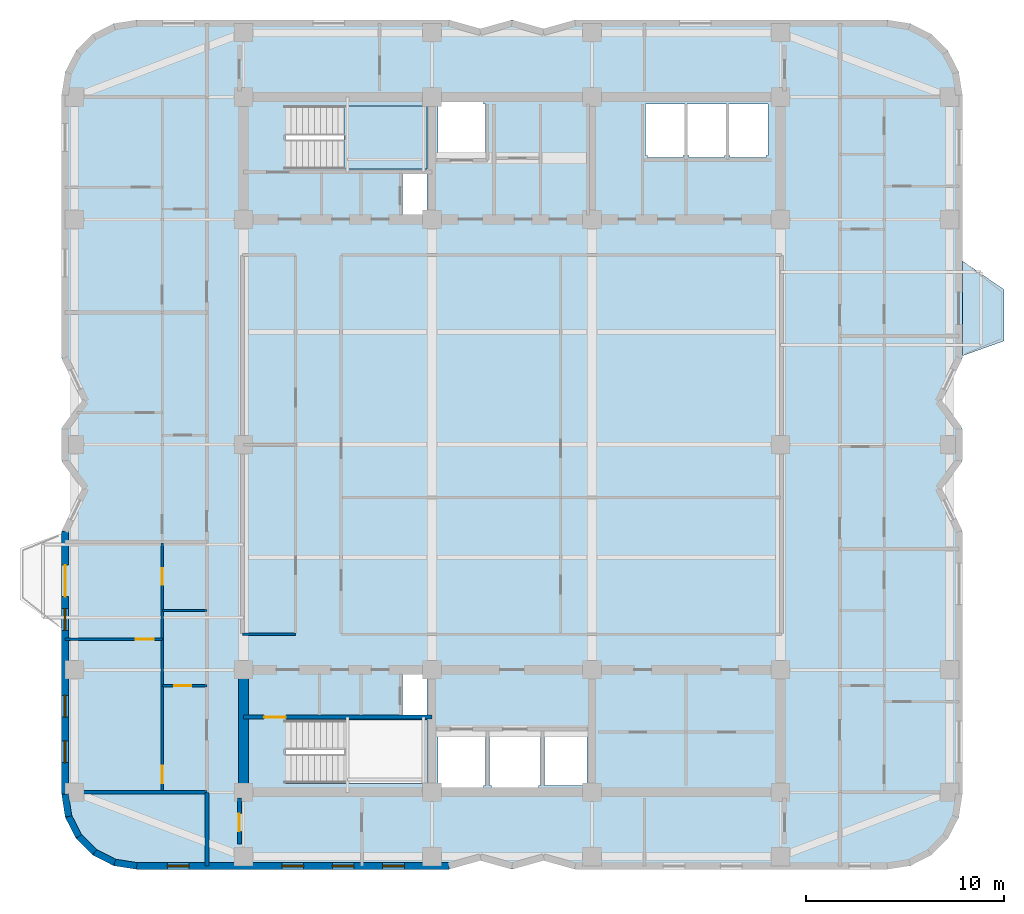
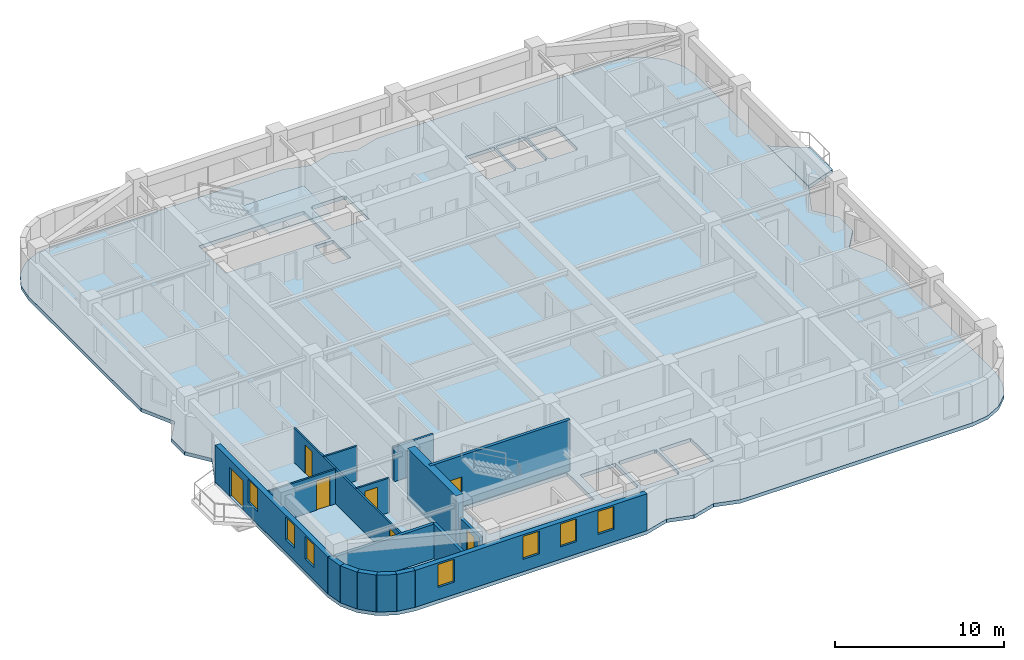
# One storey, part 2 of 9: 17 walls, 7 doors, 7 windows, 3 slabs, 14 openings, 1 element without a shape of its own.
"""IFC4 building model written with IfcOpenShell, lengths in metres."""

from ifc_helpers import new_model, si_unit, direction, frame, frame_2d, origin, place, context, subcontext, project, spatial, polyline, rectangle, outline, extrude, material, layer, layer_set, type_object, element, fill, aggregate, save


model = new_model("IFC4")

# Units and contexts
model_context = context("Model", 3, precision=1e-05, world=origin(), true_north=direction((0.0, 1.0)))
body_context = subcontext(model_context, "Body", "Model", "MODEL_VIEW")
ifc_project = project(units=[si_unit("LENGTHUNIT", "METRE"), si_unit("AREAUNIT", "SQUARE_METRE"), si_unit("VOLUMEUNIT", "CUBIC_METRE"), si_unit("PLANEANGLEUNIT", "RADIAN"), si_unit("MASSUNIT", "GRAM", prefix="KILO")], contexts=[model_context])

# Site, building, storey
site_placement = place(None, origin())
site = spatial("IfcSite", under=ifc_project, at=site_placement, CompositionType="ELEMENT")
building_placement = place(site_placement, origin())
building = spatial("IfcBuilding", under=site, at=building_placement, Name="Svetorya Sky Lyceum", CompositionType="ELEMENT")
storey_placement = place(building_placement, frame((0.0, 0.0, 192.199951171875)))
storey = spatial("IfcBuildingStorey", under=building, at=storey_placement, Name="L48", CompositionType="ELEMENT", Elevation=192.199951171875)

# Slab
ifc_material_1 = material(Name="Concrete C40/50", Category="concrete")
ifc_layer_1 = layer(ifc_material_1, 0.260009765625)
ifc_layer_set_1 = layer_set([ifc_layer_1], Name="Concrete C40/50")
slab_type_1 = type_object("IfcSlabType", Name="SL-BAL-260", PredefinedType="FLOOR", material=ifc_layer_set_1)
slab_1_placement = place(storey_placement, frame((0.0, 0.0, -0.260009765625)))
element("IfcSlab", 1, at=slab_1_placement, inside=storey, type_object=slab_type_1, Name="L48 Chamfered Loggia Balcony BAL-E1", PredefinedType="FLOOR", context=body_context, shape_type="SweptSolid", body=[
    extrude(outline(polyline([(62.010009765625, 32.699951171875), (64.110107421875, 33.449951171875), (64.110107421875, 36.050048828125), (62.010009765625, 37.5), (62.010009765625, 32.699951171875)])), origin(), (0.0, 0.0, 1.0), 0.260009765625),
])

# Stair, slab
stair_type = type_object("IfcStairType", Name="STR-ST-N", PredefinedType="HALF_TURN_STAIR", material=ifc_material_1)
stair_placement = place(storey_placement, origin())
stair = element("IfcStair", 2, at=stair_placement, inside=storey, type_object=stair_type, Name="L48 North Core Smoke-Free Exit Stair N3", PredefinedType="HALF_TURN_STAIR")
ifc_layer_2 = layer(ifc_material_1, 0.199951171875)
ifc_layer_set_2 = layer_set([ifc_layer_2], Name="Concrete C40/50")
slab_type_2 = type_object("IfcSlabType", Name="SL-STR-LAND-200", PredefinedType="LANDING", material=ifc_layer_set_2)
slab_2_placement = place(storey_placement, frame((0.0, 0.0, 1.650146484375)))
slab_2 = element("IfcSlab", 3, at=slab_2_placement, type_object=slab_type_2, Name="ST-N landing 1", PredefinedType="LANDING", context=body_context, shape_type="SweptSolid", body=[
    extrude(outline(polyline([(30.699951171875, 42.14990234375), (34.89990234375, 42.14990234375), (34.89990234375, 45.35009765625), (30.699951171875, 45.35009765625), (30.699951171875, 42.14990234375)])), origin(), (0.0, 0.0, 1.0), 0.199951171875),
])
aggregate(stair, [slab_2])

# Slab
ifc_material_2 = material(Name="Concrete C50/60", Category="concrete")
ifc_layer_3 = layer(ifc_material_2, 0.260009765625)
ifc_layer_set_3 = layer_set([ifc_layer_3], Name="Concrete C50/60")
slab_type_3 = type_object("IfcSlabType", Name="SL-TWR-260", PredefinedType="FLOOR", material=ifc_layer_set_3)
slab_3_placement = place(storey_placement, frame((0.0, 0.0, -0.260009765625)))
element("IfcSlab", 4, at=slab_3_placement, inside=storey, type_object=slab_type_3, Name="L48 Structural Floor Slab", PredefinedType="FLOOR", context=body_context, shape_type="SweptSolid", body=[
    extrude(outline(polyline([(16.39990234375, 10.5), (16.5859375, 9.32568359375), (17.125732421875, 8.266357421875), (17.96630859375, 7.42578125), (19.025634765625, 6.885986328125), (20.199951171875, 6.699951171875), (36.0, 6.699951171875), (37.60009765625, 7.14990234375), (39.199951171875, 6.699951171875), (40.800048828125, 7.14990234375), (42.39990234375, 6.699951171875), (58.199951171875, 6.699951171875), (59.374267578125, 6.885986328125), (60.43359375, 7.42578125), (61.2744140625, 8.266357421875), (61.81396484375, 9.32568359375), (62.0, 10.5), (62.0, 23.800048828125), (60.949951171875, 26.0), (62.0, 27.39990234375), (62.0, 29.0), (60.949951171875, 30.39990234375), (62.0, 32.60009765625), (62.0, 45.89990234375), (61.81396484375, 47.07421875), (61.2744140625, 48.133544921875), (60.43359375, 48.974365234375), (59.374267578125, 49.513916015625), (58.199951171875, 49.699951171875), (42.39990234375, 49.699951171875), (40.800048828125, 49.25), (39.199951171875, 49.699951171875), (37.60009765625, 49.25), (36.0, 49.699951171875), (20.199951171875, 49.699951171875), (19.025634765625, 49.513916015625), (17.96630859375, 48.974365234375), (17.125732421875, 48.133544921875), (16.5859375, 47.07421875), (16.39990234375, 45.89990234375), (16.39990234375, 32.60009765625), (17.449951171875, 30.39990234375), (16.39990234375, 29.0), (16.39990234375, 27.39990234375), (17.449951171875, 26.0), (16.39990234375, 23.800048828125), (16.39990234375, 10.5)]), holes=[polyline([(37.85009765625, 10.949951171875), (37.75, 10.949951171875), (37.75, 10.85009765625), (35.550048828125, 10.85009765625), (35.550048828125, 10.949951171875), (35.449951171875, 10.949951171875), (35.449951171875, 13.64990234375), (35.550048828125, 13.64990234375), (37.75, 13.64990234375), (37.85009765625, 13.64990234375), (37.85009765625, 10.949951171875)]), polyline([(38.14990234375, 10.800048828125), (38.14990234375, 10.949951171875), (38.050048828125, 10.949951171875), (38.050048828125, 13.64990234375), (38.14990234375, 13.64990234375), (38.14990234375, 13.699951171875), (40.550048828125, 13.699951171875), (40.550048828125, 13.64990234375), (40.64990234375, 13.64990234375), (40.64990234375, 10.949951171875), (40.550048828125, 10.949951171875), (40.550048828125, 10.800048828125), (38.14990234375, 10.800048828125)]), polyline([(27.719970703125, 11.050048828125), (27.719970703125, 14.25), (34.89990234375, 14.25), (34.89990234375, 11.050048828125), (27.719970703125, 11.050048828125)]), polyline([(33.64990234375, 14.52001953125), (33.64990234375, 16.580078125), (34.89990234375, 16.580078125), (34.89990234375, 14.52001953125), (33.64990234375, 14.52001953125)]), polyline([(33.64990234375, 39.820068359375), (33.64990234375, 41.89990234375), (34.89990234375, 41.89990234375), (34.89990234375, 39.820068359375), (33.64990234375, 39.820068359375)]), polyline([(27.719970703125, 42.14990234375), (27.719970703125, 45.35009765625), (34.89990234375, 45.35009765625), (34.89990234375, 42.14990234375), (27.719970703125, 42.14990234375)]), polyline([(37.75, 42.75), (35.550048828125, 42.75), (35.449951171875, 42.75), (35.449951171875, 45.449951171875), (35.550048828125, 45.449951171875), (35.550048828125, 45.550048828125), (37.75, 45.550048828125), (37.75, 45.449951171875), (37.85009765625, 45.449951171875), (37.85009765625, 42.75), (37.75, 42.75)]), polyline([(40.85009765625, 10.949951171875), (40.85009765625, 13.64990234375), (43.0, 13.64990234375), (43.0, 10.949951171875), (40.85009765625, 10.949951171875)]), polyline([(46.050048828125, 42.75), (46.050048828125, 42.85009765625), (45.949951171875, 42.85009765625), (45.949951171875, 45.449951171875), (46.050048828125, 45.449951171875), (47.85009765625, 45.449951171875), (47.949951171875, 45.449951171875), (47.949951171875, 42.85009765625), (47.85009765625, 42.85009765625), (47.85009765625, 42.75), (46.050048828125, 42.75)]), polyline([(50.050048828125, 42.85009765625), (49.949951171875, 42.85009765625), (49.949951171875, 42.75), (48.14990234375, 42.75), (48.14990234375, 42.85009765625), (48.050048828125, 42.85009765625), (48.050048828125, 45.449951171875), (48.14990234375, 45.449951171875), (49.949951171875, 45.449951171875), (50.050048828125, 45.449951171875), (50.050048828125, 42.85009765625)]), polyline([(52.14990234375, 42.85009765625), (52.050048828125, 42.85009765625), (52.050048828125, 42.75), (50.25, 42.75), (50.25, 42.85009765625), (50.14990234375, 42.85009765625), (50.14990234375, 45.449951171875), (50.25, 45.449951171875), (52.050048828125, 45.449951171875), (52.14990234375, 45.449951171875), (52.14990234375, 42.85009765625)])]), origin(), (0.0, 0.0, 1.0), 0.260009765625),
])

# Walls
ifc_layer_4 = layer(ifc_material_2, 0.5)
ifc_layer_set_4 = layer_set([ifc_layer_4], Name="Concrete C50/60")
wall_type_1 = type_object("IfcWallType", Name="WL-CORE-500", PredefinedType="SHEAR", material=ifc_layer_set_4)
wall_1_placement = place(storey_placement, frame((25.60009765625, 10.85009765625, 0.0), z_axis=(0.0, 0.0, 1.0), x_axis=(0.0, 1.0, 0.0)))
element("IfcWall", 5, at=wall_1_placement, inside=storey, type_object=wall_type_1, Name="L48 SC West Core Shear Wall", PredefinedType="SHEAR", context=body_context, shape_type="SweptSolid", body=[
    extrude(rectangle(XDim=5.699951171875, YDim=0.5, at=frame_2d((2.85009765625, 0.0))), origin(), (0.0, 0.0, 1.0), 3.699951171875),
])
ifc_material_3 = material(Name="Putilovo limestone rainscreen on autoclaved cellular masonry", Category="masonry")
ifc_layer_5 = layer(ifc_material_3, 0.340087890625)
ifc_layer_set_5 = layer_set([ifc_layer_5], Name="Putilovo limestone rainscreen on autoclaved cellular masonry")
wall_type_2 = type_object("IfcWallType", Name="WL-EXT-340", PredefinedType="SOLIDWALL", material=ifc_layer_set_5)
wall_2_placement = place(storey_placement, frame((16.570068359375, 10.5, 0.0), z_axis=(0.0, 0.0, 1.0), x_axis=(0.156514556949, -0.987675651954, 0.0)))
element("IfcWall", 6, at=wall_2_placement, inside=storey, type_object=wall_type_2, Name="L48 Limestone Exterior Wall 1M", PredefinedType="SOLIDWALL", context=body_context, shape_type="SweptSolid", body=[
    extrude(rectangle(XDim=1.135498046875, YDim=0.340087890625, at=frame_2d((0.56787109375, 0.0))), origin(), (0.0, 0.0, 1.0), 2.66015625),
])
for number, where, z_axis, x_axis, name in (
    (7, (16.747802734375, 9.37841796875, 0.0), (0.0, 0.0, 1.0), (0.45373580117, -0.891136253744, 0.0), "L48 Limestone Exterior Wall 2M"),
    (8, (17.26318359375, 8.3662109375, 0.0), (0.0, 0.0, 1.0), (0.707214252388, -0.706999293649, 0.0), "L48 Limestone Exterior Wall 3M"),
    (9, (18.06640625, 7.563232421875, 0.0), (0.0, 0.0, 1.0), (0.891005044957, -0.453993402883, 0.0), "L48 Limestone Exterior Wall 4M"),
):
    element("IfcWall", number, at=place(storey_placement, frame(where, z_axis=z_axis, x_axis=x_axis)), inside=storey, type_object=wall_type_2, Name=name, PredefinedType="SOLIDWALL", context=body_context, shape_type="SweptSolid", body=[
        extrude(rectangle(XDim=1.1357421875, YDim=0.340087890625, at=frame_2d((0.56787109375, 0.0))), origin(), (0.0, 0.0, 1.0), 2.66015625),
    ])
wall_3_placement = place(storey_placement, frame((19.078369140625, 7.047607421875, 0.0), z_axis=(0.0, 0.0, 1.0), x_axis=(0.987708865555, -0.156304820474, 0.0)))
element("IfcWall", 10, at=wall_3_placement, inside=storey, type_object=wall_type_2, Name="L48 Limestone Exterior Wall 5M", PredefinedType="SOLIDWALL", context=body_context, shape_type="SweptSolid", body=[
    extrude(rectangle(XDim=1.135498046875, YDim=0.340087890625, at=frame_2d((0.56787109375, 0.0))), origin(), (0.0, 0.0, 1.0), 2.66015625),
])

# Wall, openings, windows
wall_4_placement = place(storey_placement, frame((20.199951171875, 6.8701171875, 0.0), z_axis=(0.0, 0.0, 1.0), x_axis=(1.0, 0.0, 0.0)))
wall_4 = element("IfcWall", 11, at=wall_4_placement, inside=storey, type_object=wall_type_2, Name="L48 Limestone Exterior Wall 6M", PredefinedType="SOLIDWALL", context=body_context, shape_type="SweptSolid", body=[
    extrude(rectangle(XDim=15.800048828125, YDim=0.340087890625, at=frame_2d((7.89990234375, 0.0))), origin(), (0.0, 0.0, 1.0), 2.66015625),
])
opening_1_placement = place(wall_4_placement, frame((1.550048828125, 0.0, 0.889892578125)))
opening_1 = element("IfcOpeningElement", 12, at=opening_1_placement, cuts=wall_4, Name="Opening W-R3", PredefinedType="OPENING", context=body_context, shape_type="SweptSolid", body=[
    extrude(rectangle(XDim=1.10009765625, YDim=1.64990234375, at=frame_2d((0.550048828125, 0.824951171875))), frame((0.0, 0.179931640625, 0.0), z_axis=(0.0, -1.0, 0.0), x_axis=(1.0, 0.0, 0.0)), (0.0, 0.0, 1.0), 0.360107421875),
])
opening_2_placement = place(wall_4_placement, frame((7.35009765625, 0.0, 0.889892578125)))
opening_2 = element("IfcOpeningElement", 13, at=opening_2_placement, cuts=wall_4, Name="Opening W-R3", PredefinedType="OPENING", context=body_context, shape_type="SweptSolid", body=[
    extrude(rectangle(XDim=1.10009765625, YDim=1.64990234375, at=frame_2d((0.550048828125, 0.824951171875))), frame((0.0, 0.179931640625, 0.0), z_axis=(0.0, -1.0, 0.0), x_axis=(1.0, 0.0, 0.0)), (0.0, 0.0, 1.0), 0.360107421875),
])
opening_3_placement = place(wall_4_placement, frame((9.89990234375, 0.0, 0.889892578125)))
opening_3 = element("IfcOpeningElement", 14, at=opening_3_placement, cuts=wall_4, Name="Opening W-R3", PredefinedType="OPENING", context=body_context, shape_type="SweptSolid", body=[
    extrude(rectangle(XDim=1.10009765625, YDim=1.64990234375, at=frame_2d((0.550048828125, 0.824951171875))), frame((0.0, 0.179931640625, 0.0), z_axis=(0.0, -1.0, 0.0), x_axis=(1.0, 0.0, 0.0)), (0.0, 0.0, 1.0), 0.360107421875),
])
opening_4_placement = place(wall_4_placement, frame((12.449951171875, 0.0, 0.889892578125)))
opening_4 = element("IfcOpeningElement", 15, at=opening_4_placement, cuts=wall_4, Name="Opening W-R3", PredefinedType="OPENING", context=body_context, shape_type="SweptSolid", body=[
    extrude(rectangle(XDim=1.10009765625, YDim=1.64990234375, at=frame_2d((0.550048828125, 0.824951171875))), frame((0.0, 0.179931640625, 0.0), z_axis=(0.0, -1.0, 0.0), x_axis=(1.0, 0.0, 0.0)), (0.0, 0.0, 1.0), 0.360107421875),
])
ifc_material_4 = material(Name="Thermally broken aluminium frame with triple low-E glazing", Category="aluminium")
window_type = type_object("IfcWindowType", Name="WN-RES-110", PartitioningType="SINGLE_PANEL", PredefinedType="WINDOW", material=ifc_material_4)
window_1_placement = place(opening_1_placement, origin())
window_1 = element("IfcWindow", 16, at=window_1_placement, inside=storey, type_object=window_type, Name="L48 Facade Window W-R3.6M.1", OverallHeight=1.64990234375, OverallWidth=1.10009765625, PartitioningType="SINGLE_PANEL", PredefinedType="WINDOW", context=body_context, shape_type="SweptSolid", body=[
    extrude(rectangle(XDim=1.10009765625, YDim=1.64990234375, at=frame_2d((0.550048828125, 0.824951171875))), frame((0.0, 0.030029296875, 0.0), z_axis=(0.0, -1.0, 0.0), x_axis=(1.0, 0.0, 0.0)), (0.0, 0.0, 1.0), 0.06005859375),
])
fill(opening_1, window_1)
window_2_placement = place(opening_2_placement, origin())
window_2 = element("IfcWindow", 17, at=window_2_placement, inside=storey, type_object=window_type, Name="L48 Facade Window W-R3.6M.2", OverallHeight=1.64990234375, OverallWidth=1.10009765625, PartitioningType="SINGLE_PANEL", PredefinedType="WINDOW", context=body_context, shape_type="SweptSolid", body=[
    extrude(rectangle(XDim=1.10009765625, YDim=1.64990234375, at=frame_2d((0.550048828125, 0.824951171875))), frame((0.0, 0.030029296875, 0.0), z_axis=(0.0, -1.0, 0.0), x_axis=(1.0, 0.0, 0.0)), (0.0, 0.0, 1.0), 0.06005859375),
])
fill(opening_2, window_2)
window_3_placement = place(opening_3_placement, origin())
window_3 = element("IfcWindow", 18, at=window_3_placement, inside=storey, type_object=window_type, Name="L48 Facade Window W-R3.6M.3", OverallHeight=1.64990234375, OverallWidth=1.10009765625, PartitioningType="SINGLE_PANEL", PredefinedType="WINDOW", context=body_context, shape_type="SweptSolid", body=[
    extrude(rectangle(XDim=1.10009765625, YDim=1.64990234375, at=frame_2d((0.550048828125, 0.824951171875))), frame((0.0, 0.030029296875, 0.0), z_axis=(0.0, -1.0, 0.0), x_axis=(1.0, 0.0, 0.0)), (0.0, 0.0, 1.0), 0.06005859375),
])
fill(opening_3, window_3)
window_4_placement = place(opening_4_placement, origin())
window_4 = element("IfcWindow", 19, at=window_4_placement, inside=storey, type_object=window_type, Name="L48 Facade Window W-R3.6M.4", OverallHeight=1.64990234375, OverallWidth=1.10009765625, PartitioningType="SINGLE_PANEL", PredefinedType="WINDOW", context=body_context, shape_type="SweptSolid", body=[
    extrude(rectangle(XDim=1.10009765625, YDim=1.64990234375, at=frame_2d((0.550048828125, 0.824951171875))), frame((0.0, 0.030029296875, 0.0), z_axis=(0.0, -1.0, 0.0), x_axis=(1.0, 0.0, 0.0)), (0.0, 0.0, 1.0), 0.06005859375),
])
fill(opening_4, window_4)

# Wall, openings, door, windows
wall_5_placement = place(storey_placement, frame((16.570068359375, 23.800048828125, 0.0), z_axis=(0.0, 0.0, 1.0), x_axis=(0.0, -1.0, 0.0)))
wall_5 = element("IfcWall", 20, at=wall_5_placement, inside=storey, type_object=wall_type_2, Name="L48 Limestone Exterior Wall 46M", PredefinedType="SOLIDWALL", context=body_context, shape_type="SweptSolid", body=[
    extrude(rectangle(XDim=13.300048828125, YDim=0.340087890625, at=frame_2d((6.64990234375, 0.0))), origin(), (0.0, 0.0, 1.0), 2.66015625),
])
opening_5_placement = place(wall_5_placement, frame((1.699951171875, 0.0, 0.0)))
opening_5 = element("IfcOpeningElement", 21, at=opening_5_placement, cuts=wall_5, Name="Opening D-BL1", PredefinedType="OPENING", context=body_context, shape_type="SweptSolid", body=[
    extrude(rectangle(XDim=1.60009765625, YDim=2.10009765625, at=frame_2d((0.800048828125, 1.050048828125))), frame((0.0, 0.179931640625, 0.0), z_axis=(0.0, -1.0, 0.0), x_axis=(1.0, 0.0, 0.0)), (0.0, 0.0, 1.0), 0.360107421875),
])
opening_6_placement = place(wall_5_placement, frame((3.89990234375, 0.0, 0.889892578125)))
opening_6 = element("IfcOpeningElement", 22, at=opening_6_placement, cuts=wall_5, Name="Opening W-R3", PredefinedType="OPENING", context=body_context, shape_type="SweptSolid", body=[
    extrude(rectangle(XDim=1.10009765625, YDim=1.64990234375, at=frame_2d((0.550048828125, 0.824951171875))), frame((0.0, 0.179931640625, 0.0), z_axis=(0.0, -1.0, 0.0), x_axis=(1.0, 0.0, 0.0)), (0.0, 0.0, 1.0), 0.360107421875),
])
opening_7_placement = place(wall_5_placement, frame((8.300048828125, 0.0, 0.889892578125)))
opening_7 = element("IfcOpeningElement", 23, at=opening_7_placement, cuts=wall_5, Name="Opening W-R3", PredefinedType="OPENING", context=body_context, shape_type="SweptSolid", body=[
    extrude(rectangle(XDim=1.10009765625, YDim=1.64990234375, at=frame_2d((0.550048828125, 0.824951171875))), frame((0.0, 0.179931640625, 0.0), z_axis=(0.0, -1.0, 0.0), x_axis=(1.0, 0.0, 0.0)), (0.0, 0.0, 1.0), 0.360107421875),
])
opening_8_placement = place(wall_5_placement, frame((10.60009765625, 0.0, 0.889892578125)))
opening_8 = element("IfcOpeningElement", 24, at=opening_8_placement, cuts=wall_5, Name="Opening W-R3", PredefinedType="OPENING", context=body_context, shape_type="SweptSolid", body=[
    extrude(rectangle(XDim=1.10009765625, YDim=1.64990234375, at=frame_2d((0.550048828125, 0.824951171875))), frame((0.0, 0.179931640625, 0.0), z_axis=(0.0, -1.0, 0.0), x_axis=(1.0, 0.0, 0.0)), (0.0, 0.0, 1.0), 0.360107421875),
])
ifc_material_5 = material(Name="Insulated glazed aluminium balcony door", Category="aluminium")
door_type_1 = type_object("IfcDoorType", Name="DR-BAL-1600", OperationType="DOUBLE_DOOR_SINGLE_SWING", PredefinedType="DOOR", material=ifc_material_5)
door_1_placement = place(opening_5_placement, origin())
door_1 = element("IfcDoor", 25, at=door_1_placement, inside=storey, type_object=door_type_1, Name="L48 Balcony BAL-W1 Door", OperationType="DOUBLE_DOOR_SINGLE_SWING", OverallHeight=2.10009765625, OverallWidth=1.60009765625, PredefinedType="DOOR", context=body_context, shape_type="SweptSolid", body=[
    extrude(rectangle(XDim=1.60009765625, YDim=2.10009765625, at=frame_2d((0.800048828125, 1.050048828125))), frame((0.0, 0.02490234375, 0.0), z_axis=(0.0, -1.0, 0.0), x_axis=(1.0, 0.0, 0.0)), (0.0, 0.0, 1.0), 0.050048828125),
])
fill(opening_5, door_1)
window_5_placement = place(opening_6_placement, origin())
window_5 = element("IfcWindow", 26, at=window_5_placement, inside=storey, type_object=window_type, Name="L48 Facade Window W-R3.46M.1", OverallHeight=1.64990234375, OverallWidth=1.10009765625, PartitioningType="SINGLE_PANEL", PredefinedType="WINDOW", context=body_context, shape_type="SweptSolid", body=[
    extrude(rectangle(XDim=1.10009765625, YDim=1.64990234375, at=frame_2d((0.550048828125, 0.824951171875))), frame((0.0, 0.030029296875, 0.0), z_axis=(0.0, -1.0, 0.0), x_axis=(1.0, 0.0, 0.0)), (0.0, 0.0, 1.0), 0.06005859375),
])
fill(opening_6, window_5)
window_6_placement = place(opening_7_placement, origin())
window_6 = element("IfcWindow", 27, at=window_6_placement, inside=storey, type_object=window_type, Name="L48 Facade Window W-R3.46M.2", OverallHeight=1.64990234375, OverallWidth=1.10009765625, PartitioningType="SINGLE_PANEL", PredefinedType="WINDOW", context=body_context, shape_type="SweptSolid", body=[
    extrude(rectangle(XDim=1.10009765625, YDim=1.64990234375, at=frame_2d((0.550048828125, 0.824951171875))), frame((0.0, 0.030029296875, 0.0), z_axis=(0.0, -1.0, 0.0), x_axis=(1.0, 0.0, 0.0)), (0.0, 0.0, 1.0), 0.06005859375),
])
fill(opening_7, window_6)
window_7_placement = place(opening_8_placement, origin())
window_7 = element("IfcWindow", 28, at=window_7_placement, inside=storey, type_object=window_type, Name="L48 Facade Window W-R3.46M.3", OverallHeight=1.64990234375, OverallWidth=1.10009765625, PartitioningType="SINGLE_PANEL", PredefinedType="WINDOW", context=body_context, shape_type="SweptSolid", body=[
    extrude(rectangle(XDim=1.10009765625, YDim=1.64990234375, at=frame_2d((0.550048828125, 0.824951171875))), frame((0.0, 0.030029296875, 0.0), z_axis=(0.0, -1.0, 0.0), x_axis=(1.0, 0.0, 0.0)), (0.0, 0.0, 1.0), 0.06005859375),
])
fill(opening_8, window_7)

# Wall, opening, door
ifc_material_6 = material(Name="Twin-stud galvanized framing with double fireboard", Category="gypsum")
ifc_layer_6 = layer(ifc_material_6, 0.1201171875)
ifc_layer_set_6 = layer_set([ifc_layer_6], Name="Twin-stud galvanized framing with double fireboard")
wall_type_3 = type_object("IfcWallType", Name="WL-PART-120", PredefinedType="PARTITIONING", material=ifc_layer_set_6)
wall_6_placement = place(storey_placement, frame((21.5, 16.0, 0.0), z_axis=(0.0, 0.0, 1.0), x_axis=(1.0, 0.0, 0.0)))
wall_6 = element("IfcWall", 29, at=wall_6_placement, inside=storey, type_object=wall_type_3, Name="L48 Interior Partition W1-WH1", PredefinedType="PARTITIONING", context=body_context, shape_type="SweptSolid", body=[
    extrude(rectangle(XDim=2.25, YDim=0.1201171875, at=frame_2d((1.125, 0.0))), origin(), (0.0, 0.0, 1.0), 2.489990234375),
])
opening_9_placement = place(wall_6_placement, frame((0.60009765625, 0.0, 0.0)))
opening_9 = element("IfcOpeningElement", 30, at=opening_9_placement, cuts=wall_6, Name="Opening D-BT1", PredefinedType="OPENING", context=body_context, shape_type="SweptSolid", body=[
    extrude(rectangle(XDim=0.85009765625, YDim=2.10009765625, at=frame_2d((0.425048828125, 1.050048828125))), frame((0.0, 0.070068359375, 0.0), z_axis=(0.0, -1.0, 0.0), x_axis=(1.0, 0.0, 0.0)), (0.0, 0.0, 1.0), 0.14013671875),
])
ifc_material_7 = material(Name="Moisture-resistant laminate bathroom door")
door_type_2 = type_object("IfcDoorType", Name="DR-WET-850", OperationType="SINGLE_SWING_LEFT", PredefinedType="DOOR", material=ifc_material_7)
door_2_placement = place(opening_9_placement, origin())
door_2 = element("IfcDoor", 31, at=door_2_placement, inside=storey, type_object=door_type_2, Name="Apartment W1 Bathroom Door", OperationType="SINGLE_SWING_LEFT", OverallHeight=2.10009765625, OverallWidth=0.85009765625, PredefinedType="DOOR", context=body_context, shape_type="SweptSolid", body=[
    extrude(rectangle(XDim=0.85009765625, YDim=2.10009765625, at=frame_2d((0.425048828125, 1.050048828125))), frame((0.0, 0.02490234375, 0.0), z_axis=(0.0, -1.0, 0.0), x_axis=(1.0, 0.0, 0.0)), (0.0, 0.0, 1.0), 0.050048828125),
])
fill(opening_9, door_2)

# Wall
wall_7_placement = place(storey_placement, frame((21.5, 19.800048828125, 0.0), z_axis=(0.0, 0.0, 1.0), x_axis=(1.0, 0.0, 0.0)))
element("IfcWall", 32, at=wall_7_placement, inside=storey, type_object=wall_type_3, Name="L48 Interior Partition W1-WH2", PredefinedType="PARTITIONING", context=body_context, shape_type="SweptSolid", body=[
    extrude(rectangle(XDim=2.25, YDim=0.1201171875, at=frame_2d((1.125, 0.0))), origin(), (0.0, 0.0, 1.0), 2.489990234375),
])

# Wall, opening, door
wall_8_placement = place(storey_placement, frame((16.570068359375, 18.35009765625, 0.0), z_axis=(0.0, 0.0, 1.0), x_axis=(1.0, 0.0, 0.0)))
wall_8 = element("IfcWall", 33, at=wall_8_placement, inside=storey, type_object=wall_type_3, Name="L48 Interior Partition W1-WL1", PredefinedType="PARTITIONING", context=body_context, shape_type="SweptSolid", body=[
    extrude(rectangle(XDim=4.929931640625, YDim=0.1201171875, at=frame_2d((2.46484375, 0.0))), origin(), (0.0, 0.0, 1.0), 2.489990234375),
])
opening_10_placement = place(wall_8_placement, frame((3.580078125, 0.0, 0.0)))
opening_10 = element("IfcOpeningElement", 34, at=opening_10_placement, cuts=wall_8, Name="Opening D-RM1", PredefinedType="OPENING", context=body_context, shape_type="SweptSolid", body=[
    extrude(rectangle(XDim=0.89990234375, YDim=2.10009765625, at=frame_2d((0.449951171875, 1.050048828125))), frame((0.0, 0.070068359375, 0.0), z_axis=(0.0, -1.0, 0.0), x_axis=(1.0, 0.0, 0.0)), (0.0, 0.0, 1.0), 0.14013671875),
])
ifc_material_8 = material(Name="Lacquered birch veneer internal door")
door_type_3 = type_object("IfcDoorType", Name="DR-INT-900", OperationType="SINGLE_SWING_LEFT", PredefinedType="DOOR", material=ifc_material_8)
door_3_placement = place(opening_10_placement, origin())
door_3 = element("IfcDoor", 35, at=door_3_placement, inside=storey, type_object=door_type_3, Name="Apartment W1 Bedroom 1 Door", OperationType="SINGLE_SWING_LEFT", OverallHeight=2.10009765625, OverallWidth=0.89990234375, PredefinedType="DOOR", context=body_context, shape_type="SweptSolid", body=[
    extrude(rectangle(XDim=0.89990234375, YDim=2.10009765625, at=frame_2d((0.449951171875, 1.050048828125))), frame((0.0, 0.02490234375, 0.0), z_axis=(0.0, -1.0, 0.0), x_axis=(1.0, 0.0, 0.0)), (0.0, 0.0, 1.0), 0.050048828125),
])
fill(opening_10, door_3)

# Wall, openings, doors
wall_9_placement = place(storey_placement, frame((21.5, 10.639892578125, 0.0), z_axis=(0.0, 0.0, 1.0), x_axis=(0.0, 1.0, 0.0)))
wall_9 = element("IfcWall", 36, at=wall_9_placement, inside=storey, type_object=wall_type_3, Name="L48 Interior Partition W1-WV", PredefinedType="PARTITIONING", context=body_context, shape_type="SweptSolid", body=[
    extrude(rectangle(XDim=12.592041015625, YDim=0.1201171875, at=frame_2d((6.2958984375, 0.0))), origin(), (0.0, 0.0, 1.0), 2.489990234375),
])
opening_11_placement = place(wall_9_placement, frame((0.409912109375, 0.0, 0.0)))
opening_11 = element("IfcOpeningElement", 37, at=opening_11_placement, cuts=wall_9, Name="Opening D-RM1", PredefinedType="OPENING", context=body_context, shape_type="SweptSolid", body=[
    extrude(rectangle(XDim=0.89990234375, YDim=2.10009765625, at=frame_2d((0.449951171875, 1.050048828125))), frame((0.0, 0.070068359375, 0.0), z_axis=(0.0, -1.0, 0.0), x_axis=(1.0, 0.0, 0.0)), (0.0, 0.0, 1.0), 0.14013671875),
])
opening_12_placement = place(wall_9_placement, frame((10.470947265625, 0.0, 0.0)))
opening_12 = element("IfcOpeningElement", 38, at=opening_12_placement, cuts=wall_9, Name="Opening D-BT2", PredefinedType="OPENING", context=body_context, shape_type="SweptSolid", body=[
    extrude(rectangle(XDim=0.820068359375, YDim=2.080078125, at=frame_2d((0.41015625, 1.0400390625))), frame((0.0, 0.070068359375, 0.0), z_axis=(0.0, -1.0, 0.0), x_axis=(1.0, 0.0, 0.0)), (0.0, 0.0, 1.0), 0.14013671875),
])
door_4_placement = place(opening_11_placement, origin())
door_4 = element("IfcDoor", 39, at=door_4_placement, inside=storey, type_object=door_type_3, Name="Apartment W1 Living Door", OperationType="SINGLE_SWING_RIGHT", OverallHeight=2.10009765625, OverallWidth=0.89990234375, PredefinedType="DOOR", context=body_context, shape_type="SweptSolid", body=[
    extrude(rectangle(XDim=0.89990234375, YDim=2.10009765625, at=frame_2d((0.449951171875, 1.050048828125))), frame((0.0, 0.02490234375, 0.0), z_axis=(0.0, -1.0, 0.0), x_axis=(1.0, 0.0, 0.0)), (0.0, 0.0, 1.0), 0.050048828125),
])
fill(opening_11, door_4)
ifc_material_9 = material(Name="Compact moisture-resistant laminate closet door")
door_type_4 = type_object("IfcDoorType", Name="DR-WET-820", OperationType="SINGLE_SWING_LEFT", PredefinedType="DOOR", material=ifc_material_9)
door_5_placement = place(opening_12_placement, origin())
door_5 = element("IfcDoor", 40, at=door_5_placement, inside=storey, type_object=door_type_4, Name="Apartment W1 Study Door", OperationType="SINGLE_SWING_LEFT", OverallHeight=2.080078125, OverallWidth=0.820068359375, PredefinedType="DOOR", context=body_context, shape_type="SweptSolid", body=[
    extrude(rectangle(XDim=0.820068359375, YDim=2.080078125, at=frame_2d((0.41015625, 1.0400390625))), frame((0.0, 0.02490234375, 0.0), z_axis=(0.0, -1.0, 0.0), x_axis=(1.0, 0.0, 0.0)), (0.0, 0.0, 1.0), 0.050048828125),
])
fill(opening_12, door_5)

# Walls
ifc_material_10 = material(Name="Autoclaved cellular masonry blockwork with acoustic render", Category="masonry")
ifc_layer_7 = layer(ifc_material_10, 0.14990234375)
ifc_layer_set_7 = layer_set([ifc_layer_7], Name="Autoclaved cellular masonry blockwork with acoustic render")
wall_type_4 = type_object("IfcWallType", Name="WL-PART-150", PredefinedType="PARTITIONING", material=ifc_layer_set_7)
wall_10_placement = place(storey_placement, frame((25.550048828125, 18.60009765625, 0.0), z_axis=(0.0, 0.0, 1.0), x_axis=(1.0, 0.0, 0.0)))
element("IfcWall", 41, at=wall_10_placement, inside=storey, type_object=wall_type_4, Name="L48 Interior Partition OFF-CS-W", PredefinedType="PARTITIONING", context=body_context, shape_type="SweptSolid", body=[
    extrude(rectangle(XDim=2.699951171875, YDim=0.14990234375, at=frame_2d((1.35009765625, 0.0))), origin(), (0.0, 0.0, 1.0), 2.489990234375),
])
ifc_material_11 = material(Name="Autoclaved cellular masonry blockwork with gypsum plaster", Category="masonry")
ifc_layer_8 = layer(ifc_material_11, 0.199951171875)
ifc_layer_set_8 = layer_set([ifc_layer_8], Name="Autoclaved cellular masonry blockwork with gypsum plaster")
wall_type_5 = type_object("IfcWallType", Name="WL-PART-200", PredefinedType="PARTITIONING", material=ifc_layer_set_8)
wall_11_placement = place(storey_placement, frame((16.989990234375, 10.60009765625, 0.0), z_axis=(0.0, 0.0, 1.0), x_axis=(1.0, 0.0, 0.0)))
element("IfcWall", 42, at=wall_11_placement, inside=storey, type_object=wall_type_5, Name="L48 Interior Partition W-CAP-S", PredefinedType="PARTITIONING", context=body_context, shape_type="SweptSolid", body=[
    extrude(rectangle(XDim=6.760009765625, YDim=0.199951171875, at=frame_2d((3.3798828125, 0.0))), origin(), (0.0, 0.0, 1.0), 2.489990234375),
])
wall_12_placement = place(storey_placement, frame((23.75, 6.8701171875, 0.0), z_axis=(0.0, 0.0, 1.0), x_axis=(0.0, 1.0, 0.0)))
element("IfcWall", 43, at=wall_12_placement, inside=storey, type_object=wall_type_5, Name="L48 Interior Partition WC-SW-END", PredefinedType="PARTITIONING", context=body_context, shape_type="SweptSolid", body=[
    extrude(rectangle(XDim=3.72998046875, YDim=0.199951171875, at=frame_2d((1.864990234375, 0.0))), origin(), (0.0, 0.0, 1.0), 2.489990234375),
])

# Wall, opening, door
wall_13_placement = place(storey_placement, frame((25.39990234375, 7.969970703125, 0.0), z_axis=(0.0, 0.0, 1.0), x_axis=(0.0, 1.0, 0.0)))
wall_13 = element("IfcWall", 44, at=wall_13_placement, inside=storey, type_object=wall_type_5, Name="L48 Interior Partition S-EW", PredefinedType="PARTITIONING", context=body_context, shape_type="SweptSolid", body=[
    extrude(rectangle(XDim=2.330078125, YDim=0.199951171875, at=frame_2d((1.1650390625, 0.0))), origin(), (0.0, 0.0, 1.0), 2.489990234375),
])
opening_13_placement = place(wall_13_placement, frame((0.64990234375, 0.0, 0.0)))
opening_13 = element("IfcOpeningElement", 45, at=opening_13_placement, cuts=wall_13, Name="Opening D-RM1", PredefinedType="OPENING", context=body_context, shape_type="SweptSolid", body=[
    extrude(rectangle(XDim=0.89990234375, YDim=2.10009765625, at=frame_2d((0.449951171875, 1.050048828125))), frame((0.0, 0.10986328125, 0.0), z_axis=(0.0, -1.0, 0.0), x_axis=(1.0, 0.0, 0.0)), (0.0, 0.0, 1.0), 0.219970703125),
])
door_6_placement = place(opening_13_placement, origin())
door_6 = element("IfcDoor", 46, at=door_6_placement, inside=storey, type_object=door_type_3, Name="L48 South Study Door", OperationType="SINGLE_SWING_LEFT", OverallHeight=2.10009765625, OverallWidth=0.89990234375, PredefinedType="DOOR", context=body_context, shape_type="SweptSolid", body=[
    extrude(rectangle(XDim=0.89990234375, YDim=2.10009765625, at=frame_2d((0.449951171875, 1.050048828125))), frame((0.0, 0.02490234375, 0.0), z_axis=(0.0, -1.0, 0.0), x_axis=(1.0, 0.0, 0.0)), (0.0, 0.0, 1.0), 0.050048828125),
])
fill(opening_13, door_6)

ifc_layer_9 = layer(ifc_material_2, 0.199951171875)
ifc_layer_set_9 = layer_set([ifc_layer_9], Name="Concrete C50/60")
wall_type_6 = type_object("IfcWallType", Name="WL-SHW-200", PredefinedType="SHEAR", material=ifc_layer_set_9)
wall_14_placement = place(storey_placement, frame((25.60009765625, 14.39990234375, 0.0), z_axis=(0.0, 0.0, 1.0), x_axis=(1.0, 0.0, 0.0)))
wall_14 = element("IfcWall", 47, at=wall_14_placement, inside=storey, type_object=wall_type_6, Name="L48 Structural Stair Shaft Wall SC-STW", PredefinedType="SHEAR", context=body_context, shape_type="SweptSolid", body=[
    extrude(rectangle(XDim=9.5498046875, YDim=0.199951171875, at=frame_2d((4.77490234375, 0.0))), origin(), (0.0, 0.0, 1.0), 3.699951171875),
])
opening_14_placement = place(wall_14_placement, frame((1.050048828125, 0.0, 0.0)))
opening_14 = element("IfcOpeningElement", 48, at=opening_14_placement, cuts=wall_14, Name="Opening D-ST1", PredefinedType="OPENING", context=body_context, shape_type="SweptSolid", body=[
    extrude(rectangle(XDim=1.10009765625, YDim=2.14990234375, at=frame_2d((0.550048828125, 1.074951171875))), frame((0.0, 0.10986328125, 0.0), z_axis=(0.0, -1.0, 0.0), x_axis=(1.0, 0.0, 0.0)), (0.0, 0.0, 1.0), 0.219970703125),
])
ifc_material_12 = material(Name="Powder-coated insulated galvanized stair fire door")
door_type_5 = type_object("IfcDoorType", Name="DR-FIRE-1100", OperationType="SINGLE_SWING_LEFT", PredefinedType="DOOR", material=ifc_material_12)
door_7_placement = place(opening_14_placement, origin())
door_7 = element("IfcDoor", 49, at=door_7_placement, inside=storey, type_object=door_type_5, Name="L48 Stair ST-S Vestibule Fire Door", OperationType="SINGLE_SWING_LEFT", OverallHeight=2.14990234375, OverallWidth=1.10009765625, PredefinedType="DOOR", context=body_context, shape_type="SweptSolid", body=[
    extrude(rectangle(XDim=1.10009765625, YDim=2.14990234375, at=frame_2d((0.550048828125, 1.074951171875))), frame((0.0, 0.02490234375, 0.0), z_axis=(0.0, -1.0, 0.0), x_axis=(1.0, 0.0, 0.0)), (0.0, 0.0, 1.0), 0.050048828125),
])
fill(opening_14, door_7)

save(model, "model.ifc")
